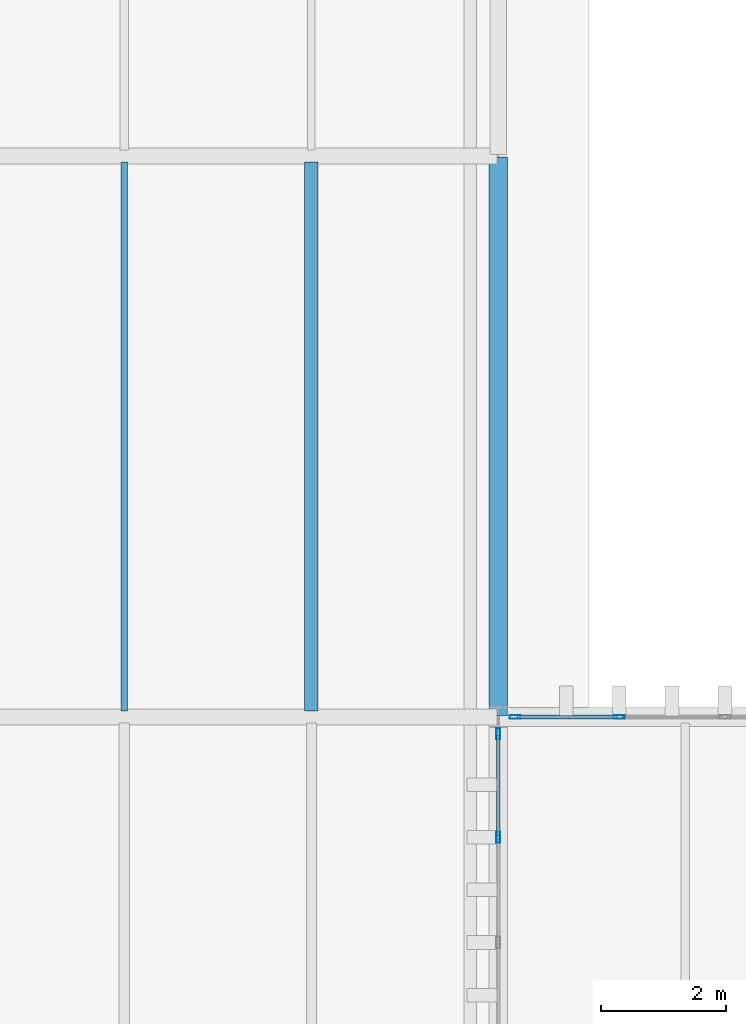
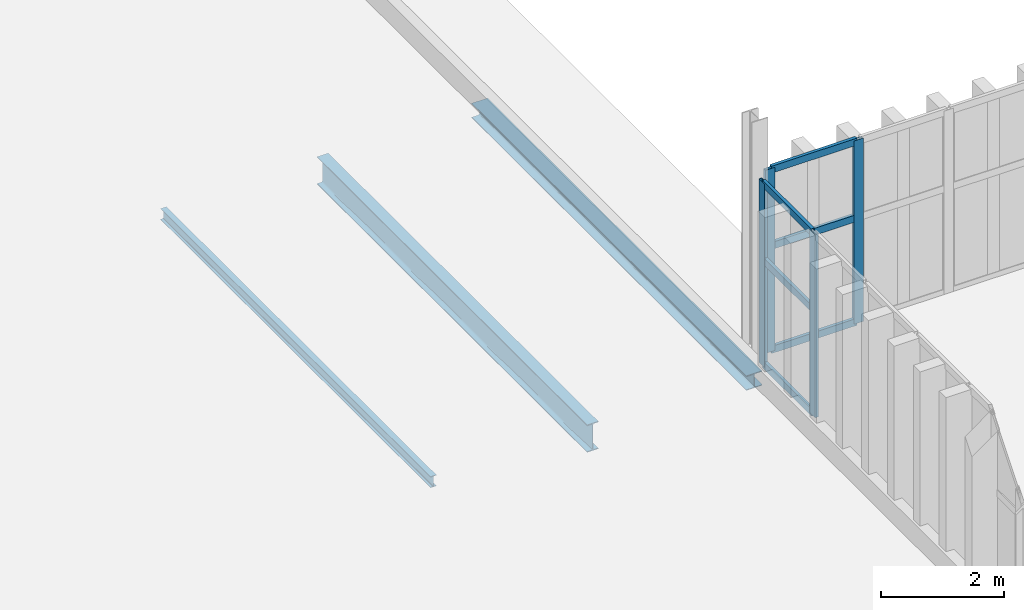
# One storey, part 97 of 196: 10 members, 3 beams, 2 elements without a shape of their own.
"""IFC4 building model written with IfcOpenShell, lengths in metres."""

from ifc_helpers import new_model, si_unit, direction, frame, origin, origin_2d, place, context, subcontext, project, spatial, hollow_rectangle, i_section, extrude, material, layer, layer_set, material_profile, profile_set, type_object, element, aggregate, save


model = new_model("IFC4")

# Units and contexts
model_context = context("Model", 3, precision=1e-05, world=origin(), true_north=direction((0.0, 1.0)))
body_context = subcontext(model_context, "Body", "Model", "MODEL_VIEW")
ifc_project = project(units=[si_unit("LENGTHUNIT", "METRE"), si_unit("AREAUNIT", "SQUARE_METRE"), si_unit("VOLUMEUNIT", "CUBIC_METRE"), si_unit("PLANEANGLEUNIT", "RADIAN"), si_unit("MASSUNIT", "GRAM", prefix="KILO")], contexts=[model_context])

# Site, building, storey
site_placement = place(None, origin())
site = spatial("IfcSite", under=ifc_project, at=site_placement, CompositionType="ELEMENT")
building_placement = place(site_placement, origin())
building = spatial("IfcBuilding", under=site, at=building_placement, Name="Barlavento Convention Centre", CompositionType="ELEMENT")
storey_placement = place(building_placement, frame((0.0, 0.0, 18.0)))
storey = spatial("IfcBuildingStorey", under=building, at=storey_placement, Name="L03", CompositionType="ELEMENT", Elevation=18.0)

# Curtain wall, members
ifc_material_1 = material(Name="Powder-coated aluminium and Low-E glass", Category="aluminium")
ifc_layer = layer(ifc_material_1, 0.179931640625)
ifc_layer_set = layer_set([ifc_layer], Name="ARC-CW-CONF-L03")
curtain_wall_type = type_object("IfcCurtainWallType", Name="ARC-CW-CONF-L03", PredefinedType="NOTDEFINED", material=ifc_layer_set)
curtain_wall_1_placement = place(storey_placement, origin())
curtain_wall_1 = element("IfcCurtainWall", 1, at=curtain_wall_1_placement, inside=storey, type_object=curtain_wall_type, Name="L03 unitised curtain wall CW08", PredefinedType="NOTDEFINED")
ifc_material_2 = material(Name="Powder-coated aluminium", Category="aluminium")
ifc_material_profile_1 = material_profile(ifc_material_2, hollow_rectangle(XDim=0.06005859375, YDim=0.179931640625, WallThickness=0.0048828125, at=origin_2d()), Name="AL-MULL 60x180x5")
ifc_profile_set_1 = profile_set([ifc_material_profile_1], Name="Powder-coated aluminium")
member_type_1 = type_object("IfcMemberType", Name="ARC-CWM-60X180", PredefinedType="MULLION", material=ifc_profile_set_1)
member_1_placement = place(storey_placement, frame((126.0, 97.072021484375, 0.0), z_axis=(0.0, 0.0, 1.0), x_axis=(-1.0, 0.0, 0.0)))
member_1 = element("IfcMember", 2, at=member_1_placement, type_object=member_type_1, Name="CW08 mullion 5", PredefinedType="MULLION", context=body_context, shape_type="SweptSolid", body=[
    extrude(hollow_rectangle(XDim=0.06005859375, YDim=0.179931640625, WallThickness=0.0048828125, at=origin_2d()), origin(), (0.0, 0.0, 1.0), 3.64990234375),
])
member_2_placement = place(storey_placement, frame((126.0, 98.72998046875, 0.0), z_axis=(0.0, 0.0, 1.0), x_axis=(-1.0, 0.0, 0.0)))
member_2 = element("IfcMember", 3, at=member_2_placement, type_object=member_type_1, Name="CW08 mullion 6", PredefinedType="MULLION", context=body_context, shape_type="SweptSolid", body=[
    extrude(hollow_rectangle(XDim=0.06005859375, YDim=0.179931640625, WallThickness=0.0048828125, at=origin_2d()), origin(), (0.0, 0.0, 1.0), 3.64990234375),
])

curtain_wall_2_placement = place(storey_placement, origin())
curtain_wall_2 = element("IfcCurtainWall", 4, at=curtain_wall_2_placement, inside=storey, type_object=curtain_wall_type, Name="L03 unitised curtain wall CW08", PredefinedType="NOTDEFINED")
member_3_placement = place(storey_placement, frame((126.27001953125, 99.0, 0.0), z_axis=(0.0, 0.0, 1.0), x_axis=(0.0, 1.0, 0.0)))
member_3 = element("IfcMember", 5, at=member_3_placement, type_object=member_type_1, Name="CW08 mullion 1", PredefinedType="MULLION", context=body_context, shape_type="SweptSolid", body=[
    extrude(hollow_rectangle(XDim=0.06005859375, YDim=0.179931640625, WallThickness=0.0048828125, at=origin_2d()), origin(), (0.0, 0.0, 1.0), 3.64990234375),
])
member_4_placement = place(storey_placement, frame((127.93798828125, 99.0, 0.0), z_axis=(0.0, 0.0, 1.0), x_axis=(0.0, 1.0, 0.0)))
member_4 = element("IfcMember", 6, at=member_4_placement, type_object=member_type_1, Name="CW08 mullion 2", PredefinedType="MULLION", context=body_context, shape_type="SweptSolid", body=[
    extrude(hollow_rectangle(XDim=0.06005859375, YDim=0.179931640625, WallThickness=0.0048828125, at=origin_2d()), origin(), (0.0, 0.0, 1.0), 3.64990234375),
])

# Member
ifc_material_profile_2 = material_profile(ifc_material_2, hollow_rectangle(XDim=0.06005859375, YDim=0.139892578125, WallThickness=0.00390625, at=origin_2d()), Name="AL-TRAN 60x140x4")
ifc_profile_set_2 = profile_set([ifc_material_profile_2], Name="Powder-coated aluminium")
member_type_2 = type_object("IfcMemberType", Name="ARC-CWT-60X140", PredefinedType="USERDEFINED", material=ifc_profile_set_2)
member_5_placement = place(storey_placement, frame((126.0, 97.10205078125, 0.030029296875), z_axis=(0.0, 1.0, 0.0), x_axis=(-1.0, 0.0, 0.0)))
member_5 = element("IfcMember", 7, at=member_5_placement, type_object=member_type_2, Name="CW08 transom 5.1", ObjectType="TRANSOM", PredefinedType="USERDEFINED", context=body_context, shape_type="SweptSolid", body=[
    extrude(hollow_rectangle(XDim=0.06005859375, YDim=0.139892578125, WallThickness=0.00390625, at=origin_2d()), origin(), (0.0, 0.0, 1.0), 1.597900390625),
])

member_6_placement = place(storey_placement, frame((126.0, 97.10205078125, 2.10009765625), z_axis=(0.0, 1.0, 0.0), x_axis=(-1.0, 0.0, 0.0)))
member_6 = element("IfcMember", 8, at=member_6_placement, type_object=member_type_2, Name="CW08 transom 5.2", ObjectType="TRANSOM", PredefinedType="USERDEFINED", context=body_context, shape_type="SweptSolid", body=[
    extrude(hollow_rectangle(XDim=0.06005859375, YDim=0.139892578125, WallThickness=0.00390625, at=origin_2d()), origin(), (0.0, 0.0, 1.0), 1.597900390625),
])

member_7_placement = place(storey_placement, frame((126.0, 97.10205078125, 3.6201171875), z_axis=(0.0, 1.0, 0.0), x_axis=(-1.0, 0.0, 0.0)))
member_7 = element("IfcMember", 9, at=member_7_placement, type_object=member_type_2, Name="CW08 transom 5.3", ObjectType="TRANSOM", PredefinedType="USERDEFINED", context=body_context, shape_type="SweptSolid", body=[
    extrude(hollow_rectangle(XDim=0.06005859375, YDim=0.139892578125, WallThickness=0.00390625, at=origin_2d()), origin(), (0.0, 0.0, 1.0), 1.597900390625),
])

aggregate(curtain_wall_1, [member_1, member_2, member_5, member_6, member_7])

member_8_placement = place(storey_placement, frame((126.300048828125, 99.0, 0.030029296875), z_axis=(1.0, 0.0, 0.0), x_axis=(0.0, 1.0, 0.0)))
member_8 = element("IfcMember", 10, at=member_8_placement, type_object=member_type_2, Name="CW08 transom 1.1", ObjectType="TRANSOM", PredefinedType="USERDEFINED", context=body_context, shape_type="SweptSolid", body=[
    extrude(hollow_rectangle(XDim=0.06005859375, YDim=0.139892578125, WallThickness=0.00390625, at=origin_2d()), origin(), (0.0, 0.0, 1.0), 1.60791015625),
])

member_9_placement = place(storey_placement, frame((126.300048828125, 99.0, 2.10009765625), z_axis=(1.0, 0.0, 0.0), x_axis=(0.0, 1.0, 0.0)))
member_9 = element("IfcMember", 11, at=member_9_placement, type_object=member_type_2, Name="CW08 transom 1.2", ObjectType="TRANSOM", PredefinedType="USERDEFINED", context=body_context, shape_type="SweptSolid", body=[
    extrude(hollow_rectangle(XDim=0.06005859375, YDim=0.139892578125, WallThickness=0.00390625, at=origin_2d()), origin(), (0.0, 0.0, 1.0), 1.60791015625),
])

member_10_placement = place(storey_placement, frame((126.300048828125, 99.0, 3.6201171875), z_axis=(1.0, 0.0, 0.0), x_axis=(0.0, 1.0, 0.0)))
member_10 = element("IfcMember", 12, at=member_10_placement, type_object=member_type_2, Name="CW08 transom 1.3", ObjectType="TRANSOM", PredefinedType="USERDEFINED", context=body_context, shape_type="SweptSolid", body=[
    extrude(hollow_rectangle(XDim=0.06005859375, YDim=0.139892578125, WallThickness=0.00390625, at=origin_2d()), origin(), (0.0, 0.0, 1.0), 1.60791015625),
])

aggregate(curtain_wall_2, [member_3, member_4, member_8, member_9, member_10])

# Beams
ifc_material_3 = material(Name="Steel S355", Category="steel")
ifc_material_profile_3 = material_profile(ifc_material_3, i_section(OverallWidth=0.110107421875, OverallDepth=0.219970703125, WebThickness=0.005859375, FlangeThickness=0.00927734375, FilletRadius=0.011962890625, at=origin_2d()), Name="IPE 220")
ifc_profile_set_3 = profile_set([ifc_material_profile_3], Name="Steel S355")
beam_type_1 = type_object("IfcBeamType", Name="STR-BM-JST-IPE220", PredefinedType="JOIST", material=ifc_profile_set_3)
beam_1_placement = place(storey_placement, frame((120.0, 99.094970703125, -0.455078125), z_axis=(0.0, 1.0, 0.0), x_axis=(-1.0, 0.0, 0.0)))
element("IfcBeam", 13, at=beam_1_placement, inside=storey, type_object=beam_type_1, Name="L03 composite floor joist SJ10", PredefinedType="JOIST", context=body_context, shape_type="SweptSolid", body=[
    extrude(i_section(OverallWidth=0.110107421875, OverallDepth=0.219970703125, WebThickness=0.005859375, FlangeThickness=0.00927734375, FilletRadius=0.011962890625, at=origin_2d()), origin(), (0.0, 0.0, 1.0), 8.81005859375),
])
ifc_material_profile_4 = material_profile(ifc_material_3, i_section(OverallWidth=0.2099609375, OverallDepth=0.550048828125, WebThickness=0.010986328125, FlangeThickness=0.01708984375, FilletRadius=0.02392578125, at=origin_2d()), Name="IPE 550")
ifc_profile_set_4 = profile_set([ifc_material_profile_4], Name="Steel S355")
beam_type_2 = type_object("IfcBeamType", Name="STR-BM-JST-IPE550", PredefinedType="JOIST", material=ifc_profile_set_4)
beam_2_placement = place(storey_placement, frame((123.0, 99.094970703125, -0.6201171875), z_axis=(0.0, 1.0, 0.0), x_axis=(-1.0, 0.0, 0.0)))
element("IfcBeam", 14, at=beam_2_placement, inside=storey, type_object=beam_type_2, Name="L03 composite floor joist SJ01", PredefinedType="JOIST", context=body_context, shape_type="SweptSolid", body=[
    extrude(i_section(OverallWidth=0.2099609375, OverallDepth=0.550048828125, WebThickness=0.010986328125, FlangeThickness=0.01708984375, FilletRadius=0.02392578125, at=origin_2d()), origin(), (0.0, 0.0, 1.0), 8.81005859375),
])
ifc_material_profile_5 = material_profile(ifc_material_3, i_section(OverallWidth=0.300048828125, OverallDepth=0.2900390625, WebThickness=0.008544921875, FlangeThickness=0.013916015625, FilletRadius=0.027099609375, at=origin_2d()), Name="HEA 300")
ifc_profile_set_5 = profile_set([ifc_material_profile_5], Name="Steel S355")
beam_type_3 = type_object("IfcBeamType", Name="STR-BM-SPN-HEA300", PredefinedType="SPANDREL", material=ifc_profile_set_5)
beam_3_placement = place(storey_placement, frame((126.0, 99.02001953125, -0.5048828125), z_axis=(0.0, 1.0, 0.0), x_axis=(-1.0, 0.0, 0.0)))
element("IfcBeam", 15, at=beam_3_placement, inside=storey, type_object=beam_type_3, Name="L03 grid girder SP02", PredefinedType="SPANDREL", context=body_context, shape_type="SweptSolid", body=[
    extrude(i_section(OverallWidth=0.300048828125, OverallDepth=0.2900390625, WebThickness=0.008544921875, FlangeThickness=0.013916015625, FilletRadius=0.027099609375, at=origin_2d()), origin(), (0.0, 0.0, 1.0), 8.9599609375),
])

save(model, "model.ifc")
